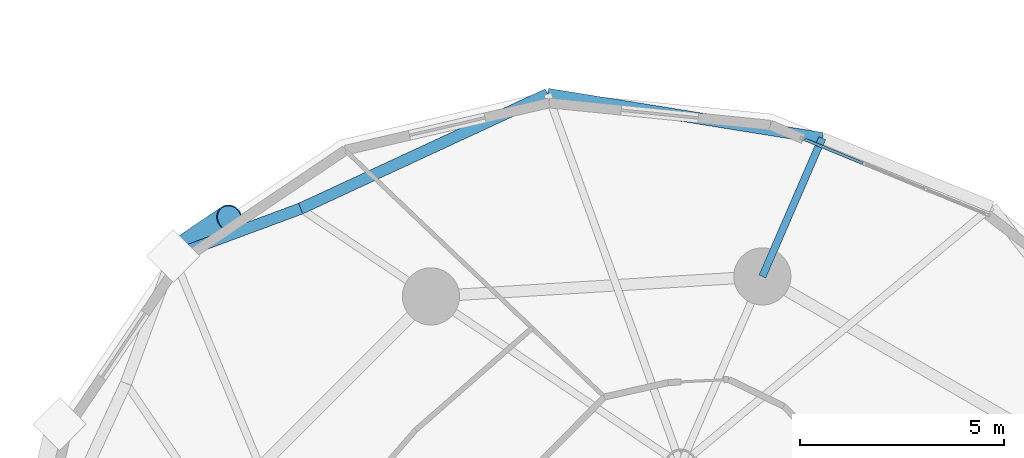
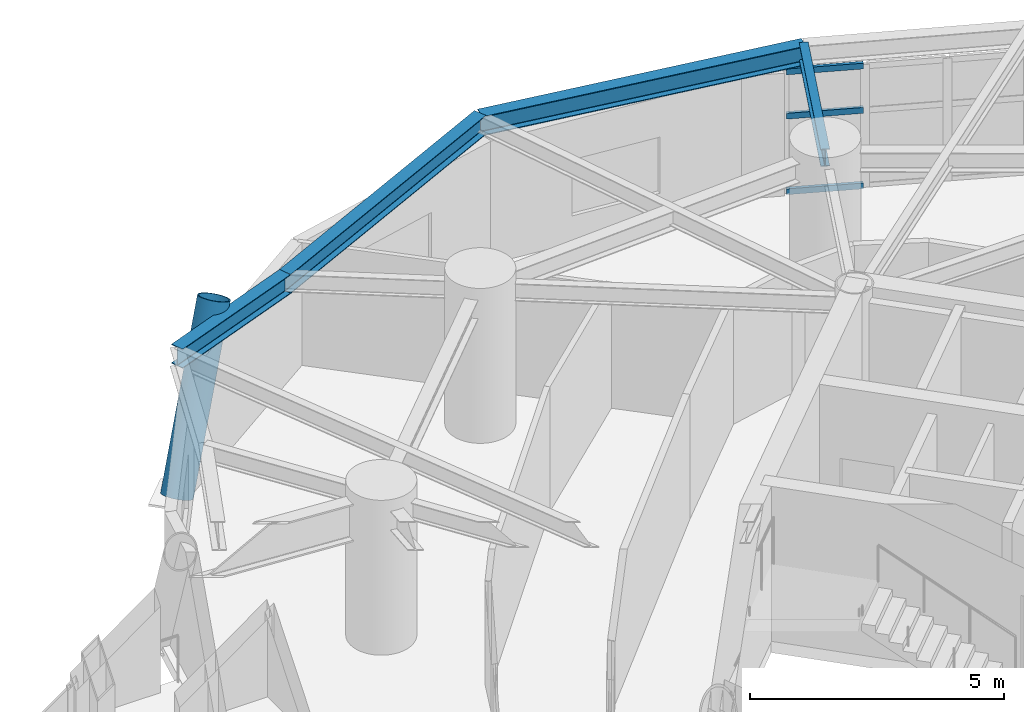
# One storey, part 9 of 20: 4 beams, 4 members, 1 element without a shape of its own.
"""IFC4 building model written with IfcOpenShell, lengths in metres."""

from ifc_helpers import new_model, si_unit, direction, frame, origin, origin_2d, place, context, subcontext, project, spatial, hollow_rectangle, hollow_circle, i_section, extrude, material, layer, layer_set, material_profile, profile_set, type_object, element, aggregate, save


model = new_model("IFC4")

# Units and contexts
model_context = context("Model", 3, precision=1e-05, world=origin(), true_north=direction((0.0, 1.0)))
body_context = subcontext(model_context, "Body", "Model", "MODEL_VIEW")
ifc_project = project(units=[si_unit("LENGTHUNIT", "METRE"), si_unit("AREAUNIT", "SQUARE_METRE"), si_unit("VOLUMEUNIT", "CUBIC_METRE"), si_unit("PLANEANGLEUNIT", "RADIAN"), si_unit("MASSUNIT", "GRAM", prefix="KILO")], contexts=[model_context])

# Site, building, storey
site_placement = place(None, origin())
site = spatial("IfcSite", under=ifc_project, at=site_placement, CompositionType="ELEMENT")
building_placement = place(site_placement, origin())
building = spatial("IfcBuilding", under=site, at=building_placement, Name="Cununo Teusaquillo Station Towers", CompositionType="ELEMENT")
storey_placement = place(building_placement, frame((0.0, 0.0, 129.159912109375)))
storey = spatial("IfcBuildingStorey", under=building, at=storey_placement, Name="L41", CompositionType="ELEMENT", Elevation=129.159912109375)

# Beams
ifc_material_1 = material(Name="Steel ASTM A572 Grade 50", Category="steel")
ifc_material_profile_1 = material_profile(ifc_material_1, i_section(OverallWidth=0.180908203125, OverallDepth=0.4169921875, WebThickness=0.010986328125, FlangeThickness=0.018310546875, FilletRadius=0.012939453125, at=origin_2d()), Name="W16X57")
ifc_profile_set_1 = profile_set([ifc_material_profile_1], Name="Steel ASTM A572 Grade 50")
beam_type_1 = type_object("IfcBeamType", Name="BM-RAD-G2", PredefinedType="BEAM", material=ifc_profile_set_1)
beam_1_placement = place(storey_placement, frame((58.291015625, 37.63525390625, 3.231689453125), z_axis=(0.397421761279, 0.917636062751, 0.0), x_axis=(-0.917636062751, 0.397421761279, 0.0)))
element("IfcBeam", 1, at=beam_1_placement, inside=storey, type_object=beam_type_1, Name="L41 Tower B Perimeter Overhang Girder 02B", PredefinedType="BEAM", context=body_context, shape_type="SweptSolid", body=[
    extrude(i_section(OverallWidth=0.180908203125, OverallDepth=0.4169921875, WebThickness=0.010986328125, FlangeThickness=0.018310546875, FilletRadius=0.012939453125, at=origin_2d()), origin(), (0.0, 0.0, 1.0), 3.690185546875),
])
ifc_material_2 = material(Name="Steel ASTM A572 Grade 50", Category="steel")
ifc_material_profile_2 = material_profile(ifc_material_2, i_section(OverallWidth=0.280029296875, OverallDepth=0.462890625, WebThickness=0.0107421875, FlangeThickness=0.017333984375, FilletRadius=0.013916015625, at=origin_2d()), Name="W18X76")
ifc_profile_set_2 = profile_set([ifc_material_profile_2], Name="Steel ASTM A572 Grade 50")
beam_type_2 = type_object("IfcBeamType", Name="BM-RING-Z2", PredefinedType="SPANDREL", material=ifc_profile_set_2)
beam_2_placement = place(storey_placement, frame((59.757568359375, 41.021484375, 3.20849609375), z_axis=(-0.987331474246, 0.158671232312, 0.0), x_axis=(-0.158671232312, -0.987331474246, 0.0)))
element("IfcBeam", 2, at=beam_2_placement, inside=storey, type_object=beam_type_2, Name="L41 Tower B Spandrel Ring Beam 03", PredefinedType="SPANDREL", context=body_context, shape_type="SweptSolid", body=[
    extrude(i_section(OverallWidth=0.280029296875, OverallDepth=0.462890625, WebThickness=0.0107421875, FlangeThickness=0.017333984375, FilletRadius=0.013916015625, at=origin_2d()), origin(), (0.0, 0.0, 1.0), 6.8115234375),
])
beam_3_placement = place(storey_placement, frame((53.0322265625, 42.102294921875, 3.20849609375), z_axis=(-0.907275870354, -0.420535961689, 0.0), x_axis=(0.420535961689, -0.907275870354, 0.0)))
element("IfcBeam", 3, at=beam_3_placement, inside=storey, type_object=beam_type_2, Name="L41 Tower B Spandrel Ring Beam 04", PredefinedType="SPANDREL", context=body_context, shape_type="SweptSolid", body=[
    extrude(i_section(OverallWidth=0.280029296875, OverallDepth=0.462890625, WebThickness=0.0107421875, FlangeThickness=0.017333984375, FilletRadius=0.013916015625, at=origin_2d()), origin(), (0.0, 0.0, 1.0), 6.671142578125),
])
beam_4_placement = place(storey_placement, frame((46.979736328125, 39.296875, 3.20849609375), z_axis=(-0.937628334414, -0.347639333943, 0.0), x_axis=(0.347639333943, -0.937628334414, 0.0)))
element("IfcBeam", 4, at=beam_4_placement, inside=storey, type_object=beam_type_2, Name="L41 Tower B Spandrel Ring Beam 05", PredefinedType="SPANDREL", context=body_context, shape_type="SweptSolid", body=[
    extrude(i_section(OverallWidth=0.280029296875, OverallDepth=0.462890625, WebThickness=0.0107421875, FlangeThickness=0.017333984375, FilletRadius=0.013916015625, at=origin_2d()), origin(), (0.0, 0.0, 1.0), 3.327392578125),
])

# Curtain wall, members
ifc_material_3 = material(Name="Ceramic-fritted dark low-E double glazing", Category="glass")
ifc_layer = layer(ifc_material_3, 0.179931640625)
ifc_layer_set = layer_set([ifc_layer], Name="Ceramic-fritted dark low-E double glazing")
curtain_wall_type = type_object("IfcCurtainWallType", Name="CW-SYS-04", PredefinedType="USERDEFINED", material=ifc_layer_set)
curtain_wall_placement = place(storey_placement, origin())
curtain_wall = element("IfcCurtainWall", 5, at=curtain_wall_placement, inside=storey, type_object=curtain_wall_type, Name="L41 Tower B Facade Curtain Wall C01", ObjectType="FRITTED GLAZING", PredefinedType="USERDEFINED")
ifc_material_4 = material(Name="Anodised dark bronze aluminium EN AW-6063-T6", Category="aluminium")
ifc_material_profile_3 = material_profile(ifc_material_4, hollow_rectangle(XDim=0.070068359375, YDim=0.139892578125, WallThickness=0.00390625, at=origin_2d()), Name="CW-TRAN-70x140")
ifc_profile_set_3 = profile_set([ifc_material_profile_3], Name="Anodised dark bronze aluminium EN AW-6063-T6")
member_type_1 = type_object("IfcMemberType", Name="CWT-140", PredefinedType="USERDEFINED", material=ifc_profile_set_3)
member_1_placement = place(storey_placement, frame((59.337890625, 40.98876953125, 0.03515625), z_axis=(0.924532726965, -0.381102659097, 0.0), x_axis=(0.381102659097, 0.924532726965, 0.0)))
member_1 = element("IfcMember", 6, at=member_1_placement, type_object=member_type_1, Name="CW-04 transom 1.1", ObjectType="TRANSOM", PredefinedType="USERDEFINED", context=body_context, shape_type="SweptSolid", body=[
    extrude(hollow_rectangle(XDim=0.070068359375, YDim=0.139892578125, WallThickness=0.00390625, at=origin_2d()), origin(), (0.0, 0.0, 1.0), 1.531005859375),
])
member_2_placement = place(storey_placement, frame((59.337890625, 40.98876953125, 1.85009765625), z_axis=(0.924532726965, -0.381102659097, 0.0), x_axis=(0.381102659097, 0.924532726965, 0.0)))
member_2 = element("IfcMember", 7, at=member_2_placement, type_object=member_type_1, Name="CW-04 transom 1.2", ObjectType="TRANSOM", PredefinedType="USERDEFINED", context=body_context, shape_type="SweptSolid", body=[
    extrude(hollow_rectangle(XDim=0.070068359375, YDim=0.139892578125, WallThickness=0.00390625, at=origin_2d()), origin(), (0.0, 0.0, 1.0), 1.531005859375),
])
member_3_placement = place(storey_placement, frame((59.337890625, 40.98876953125, 2.9140625), z_axis=(0.924532726965, -0.381102659097, 0.0), x_axis=(0.381102659097, 0.924532726965, 0.0)))
member_3 = element("IfcMember", 8, at=member_3_placement, type_object=member_type_1, Name="CW-04 transom 1.3", ObjectType="TRANSOM", PredefinedType="USERDEFINED", context=body_context, shape_type="SweptSolid", body=[
    extrude(hollow_rectangle(XDim=0.070068359375, YDim=0.139892578125, WallThickness=0.00390625, at=origin_2d()), origin(), (0.0, 0.0, 1.0), 1.531005859375),
])
aggregate(curtain_wall, [member_1, member_2, member_3])

# Member
ifc_material_5 = material(Name="Steel EN 10025-2 S355J2", Category="steel")
ifc_material_profile_4 = material_profile(ifc_material_5, hollow_circle(Radius=0.330078125, WallThickness=0.02490234375, at=origin_2d()), Name="CHS 660x25")
ifc_profile_set_4 = profile_set([ifc_material_profile_4], Name="Steel EN 10025-2 S355J2")
member_type_2 = type_object("IfcMemberType", Name="MBR-DIAG-Z2", PredefinedType="BRACE", material=ifc_profile_set_4)
member_4_placement = place(storey_placement, frame((43.85986328125, 38.14013671875, -0.139892578125), z_axis=(0.337254741435, 0.227973654759, 0.913393262574), x_axis=(-0.560024081213, 0.828476329452, 0.0)))
element("IfcMember", 9, at=member_4_placement, inside=storey, type_object=member_type_2, Name="L41 Tower B Folded-Zigzag Diagrid Tube C04", PredefinedType="BRACE", context=body_context, shape_type="SweptSolid", body=[
    extrude(hollow_circle(Radius=0.330078125, WallThickness=0.02490234375, at=origin_2d()), origin(), (0.0, 0.0, 1.0), 4.07275390625),
])

save(model, "model.ifc")
